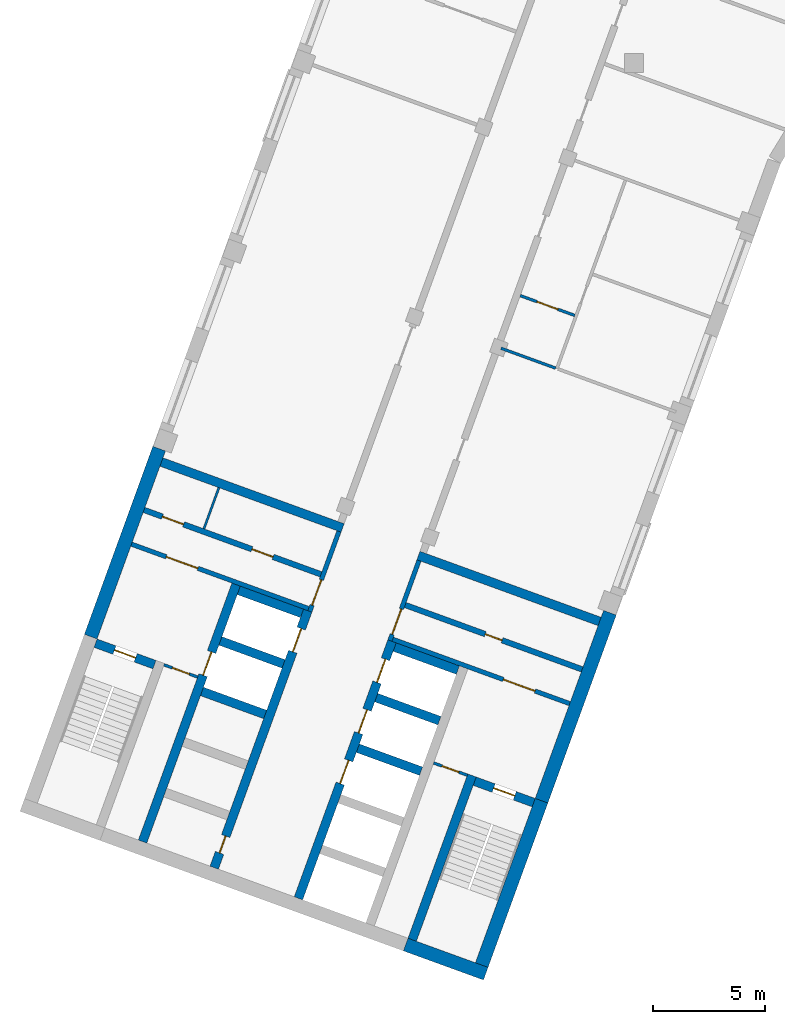
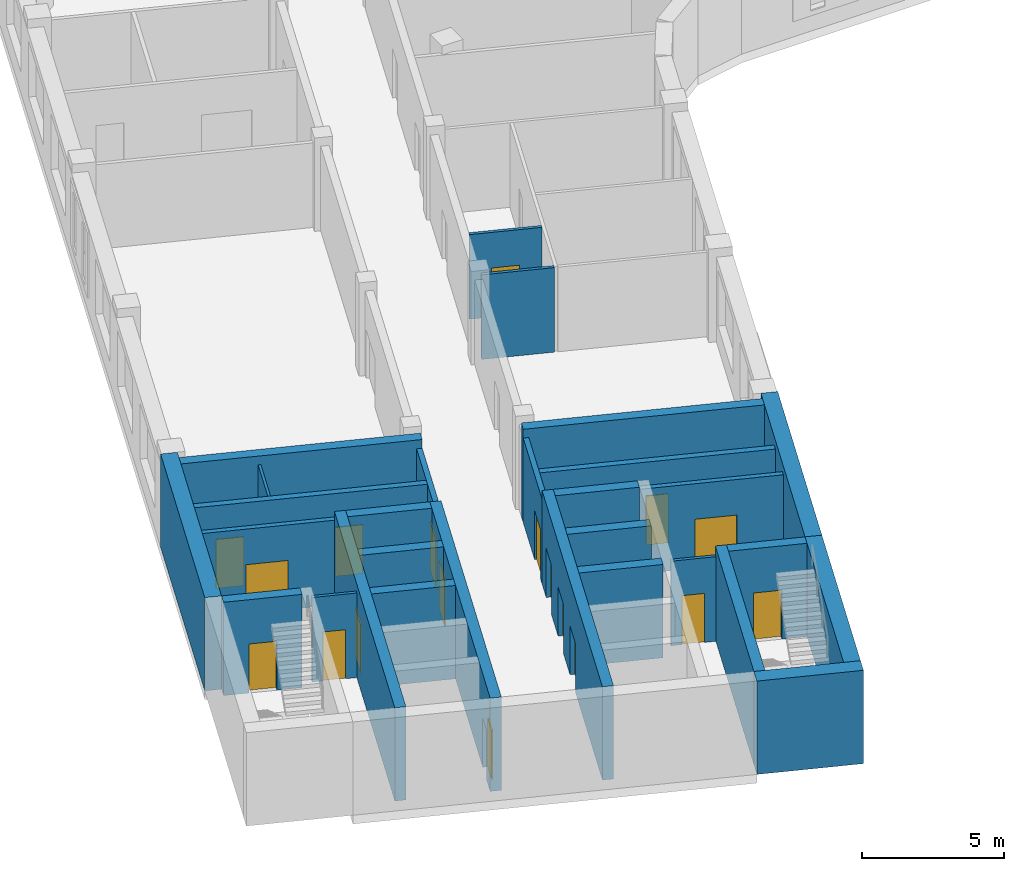
# One storey, part 2 of 10: 29 walls, 18 doors, 18 openings.
"""IFC4 building model written with IfcOpenShell, lengths in metres."""

from ifc_helpers import new_model, si_unit, direction, frame, frame_2d, origin, place, context, subcontext, project, spatial, rectangle, extrude, material, layer, layer_set, type_object, element, fill, save


model = new_model("IFC4")

# Units and contexts
model_context = context("Model", 3, precision=1e-05, world=origin(), true_north=direction((0.0, 1.0)))
body_context = subcontext(model_context, "Body", "Model", "MODEL_VIEW")
ifc_project = project(units=[si_unit("LENGTHUNIT", "METRE"), si_unit("AREAUNIT", "SQUARE_METRE"), si_unit("VOLUMEUNIT", "CUBIC_METRE"), si_unit("PLANEANGLEUNIT", "RADIAN"), si_unit("MASSUNIT", "GRAM", prefix="KILO")], contexts=[model_context])

# Site, building, storey
site_placement = place(None, origin())
site = spatial("IfcSite", under=ifc_project, at=site_placement, CompositionType="ELEMENT")
building_placement = place(site_placement, origin())
building = spatial("IfcBuilding", under=site, at=building_placement, Name="Skarvind Civic Tower", CompositionType="ELEMENT")
storey_placement = place(building_placement, frame((0.0, 0.0, 101.0)))
storey = spatial("IfcBuildingStorey", under=building, at=storey_placement, Name="L23", CompositionType="ELEMENT", Elevation=101.0)

# Wall, opening, door
ifc_material_1 = material(Name="Fire-rated masonry partition", Category="masonry")
ifc_layer_1 = layer(ifc_material_1, 0.199951171875)
ifc_layer_set_1 = layer_set([ifc_layer_1], Name="Core enclosure wall 200")
wall_type_1 = type_object("IfcWallType", Name="Core enclosure wall 200", PredefinedType="PARTITIONING", material=ifc_layer_set_1)
wall_1_placement = place(storey_placement, frame((31.491455078125, 93.693359375, 0.0), z_axis=(0.0, 0.0, 1.0), x_axis=(0.341995824804, 0.939701471648, 0.0)))
wall_1 = element("IfcWall", 1, at=wall_1_placement, inside=storey, type_object=wall_type_1, Name="Core wall C2", PredefinedType="PARTITIONING", context=body_context, shape_type="SweptSolid", body=[
    extrude(rectangle(XDim=3.800048828125, YDim=0.199951171875, at=frame_2d((1.89990234375, 0.0))), origin(), (0.0, 0.0, 1.0), 3.625),
])
opening_1_placement = place(wall_1_placement, frame((0.300048828125, 0.0, 0.0)))
opening_1 = element("IfcOpeningElement", 2, at=opening_1_placement, cuts=wall_1, Name="Opening D-L23-C2-06", PredefinedType="OPENING", context=body_context, shape_type="SweptSolid", body=[
    extrude(rectangle(XDim=1.199951171875, YDim=2.10009765625, at=frame_2d((0.60009765625, 1.050048828125))), frame((0.0, 0.10986328125, 0.0), z_axis=(0.0, -1.0, 0.0), x_axis=(1.0, 0.0, 0.0)), (0.0, 0.0, 1.0), 0.219970703125),
])
ifc_material_2 = material(Name="Fire-rated steel door", Category="steel")
door_type_1 = type_object("IfcDoorType", Name="Core lobby door 1200", OperationType="NOTDEFINED", PredefinedType="DOOR", material=ifc_material_2)
door_1_placement = place(opening_1_placement, origin())
door_1 = element("IfcDoor", 3, at=door_1_placement, inside=storey, type_object=door_type_1, Name="Fire door", OperationType="DOUBLE_DOOR_SINGLE_SWING", OverallHeight=2.10009765625, OverallWidth=1.199951171875, PredefinedType="DOOR", context=body_context, shape_type="SweptSolid", body=[
    extrude(rectangle(XDim=1.199951171875, YDim=2.10009765625, at=frame_2d((0.60009765625, 1.050048828125))), frame((0.0, 0.02490234375, 0.0), z_axis=(0.0, -1.0, 0.0), x_axis=(1.0, 0.0, 0.0)), (0.0, 0.0, 1.0), 0.050048828125),
])
fill(opening_1, door_1)

wall_2_placement = place(storey_placement, frame((23.5380859375, 96.6943359375, 0.0), z_axis=(0.0, 0.0, 1.0), x_axis=(0.939691552312, -0.342023078919, 0.0)))
wall_2 = element("IfcWall", 4, at=wall_2_placement, inside=storey, type_object=wall_type_1, Name="Core wall C2", PredefinedType="PARTITIONING", context=body_context, shape_type="SweptSolid", body=[
    extrude(rectangle(XDim=8.400146484375, YDim=0.199951171875, at=frame_2d((4.2001953125, 0.0))), origin(), (0.0, 0.0, 1.0), 3.625),
])
opening_2_placement = place(wall_2_placement, frame((1.64990234375, 0.0, 0.0)))
opening_2 = element("IfcOpeningElement", 5, at=opening_2_placement, cuts=wall_2, Name="Opening D-L23-C2-07", PredefinedType="OPENING", context=body_context, shape_type="SweptSolid", body=[
    extrude(rectangle(XDim=1.5, YDim=2.10009765625, at=frame_2d((0.75, 1.050048828125))), frame((0.0, 0.10986328125, 0.0), z_axis=(0.0, -1.0, 0.0), x_axis=(1.0, 0.0, 0.0)), (0.0, 0.0, 1.0), 0.219970703125),
])
door_type_2 = type_object("IfcDoorType", Name="Fire door 1500", OperationType="NOTDEFINED", PredefinedType="DOOR", material=ifc_material_2)
door_2_placement = place(opening_2_placement, origin())
door_2 = element("IfcDoor", 6, at=door_2_placement, inside=storey, type_object=door_type_2, Name="Fire door", OperationType="DOUBLE_DOOR_SINGLE_SWING", OverallHeight=2.10009765625, OverallWidth=1.5, PredefinedType="DOOR", context=body_context, shape_type="SweptSolid", body=[
    extrude(rectangle(XDim=1.5, YDim=2.10009765625, at=frame_2d((0.75, 1.050048828125))), frame((0.0, 0.02490234375, 0.0), z_axis=(0.0, -1.0, 0.0), x_axis=(1.0, 0.0, 0.0)), (0.0, 0.0, 1.0), 0.050048828125),
])
fill(opening_2, door_2)

wall_3_placement = place(storey_placement, frame((36.36181640625, 95.96435546875, 0.0), z_axis=(0.0, 0.0, 1.0), x_axis=(-0.341995824804, -0.939701471648, 0.0)))
wall_3 = element("IfcWall", 7, at=wall_3_placement, inside=storey, type_object=wall_type_1, Name="Core wall C2", PredefinedType="PARTITIONING", context=body_context, shape_type="SweptSolid", body=[
    extrude(rectangle(XDim=3.800048828125, YDim=0.199951171875, at=frame_2d((1.89990234375, 0.0))), origin(), (0.0, 0.0, 1.0), 3.625),
])
opening_3_placement = place(wall_3_placement, frame((2.300048828125, 0.0, 0.0)))
opening_3 = element("IfcOpeningElement", 8, at=opening_3_placement, cuts=wall_3, Name="Opening D-L23-C2-12", PredefinedType="OPENING", context=body_context, shape_type="SweptSolid", body=[
    extrude(rectangle(XDim=1.199951171875, YDim=2.10009765625, at=frame_2d((0.60009765625, 1.050048828125))), frame((0.0, 0.10986328125, 0.0), z_axis=(0.0, -1.0, 0.0), x_axis=(1.0, 0.0, 0.0)), (0.0, 0.0, 1.0), 0.219970703125),
])
door_3_placement = place(opening_3_placement, origin())
door_3 = element("IfcDoor", 9, at=door_3_placement, inside=storey, type_object=door_type_1, Name="Fire door", OperationType="DOUBLE_DOOR_SINGLE_SWING", OverallHeight=2.10009765625, OverallWidth=1.199951171875, PredefinedType="DOOR", context=body_context, shape_type="SweptSolid", body=[
    extrude(rectangle(XDim=1.199951171875, YDim=2.10009765625, at=frame_2d((0.60009765625, 1.050048828125))), frame((0.0, 0.02490234375, 0.0), z_axis=(0.0, -1.0, 0.0), x_axis=(1.0, 0.0, 0.0)), (0.0, 0.0, 1.0), 0.050048828125),
])
fill(opening_3, door_3)

wall_4_placement = place(storey_placement, frame((35.1904296875, 92.453369140625, 0.0), z_axis=(0.0, 0.0, 1.0), x_axis=(0.939691552312, -0.342023078919, 0.0)))
wall_4 = element("IfcWall", 10, at=wall_4_placement, inside=storey, type_object=wall_type_1, Name="Core wall C2", PredefinedType="PARTITIONING", context=body_context, shape_type="SweptSolid", body=[
    extrude(rectangle(XDim=8.400146484375, YDim=0.199951171875, at=frame_2d((4.2001953125, 0.0))), origin(), (0.0, 0.0, 1.0), 3.625),
])
opening_4_placement = place(wall_4_placement, frame((5.25, 0.0, 0.0)))
opening_4 = element("IfcOpeningElement", 11, at=opening_4_placement, cuts=wall_4, Name="Opening D-L23-C2-13", PredefinedType="OPENING", context=body_context, shape_type="SweptSolid", body=[
    extrude(rectangle(XDim=1.5, YDim=2.10009765625, at=frame_2d((0.75, 1.050048828125))), frame((0.0, 0.10986328125, 0.0), z_axis=(0.0, -1.0, 0.0), x_axis=(1.0, 0.0, 0.0)), (0.0, 0.0, 1.0), 0.219970703125),
])
door_4_placement = place(opening_4_placement, origin())
door_4 = element("IfcDoor", 12, at=door_4_placement, inside=storey, type_object=door_type_2, Name="Fire door", OperationType="DOUBLE_DOOR_SINGLE_SWING", OverallHeight=2.10009765625, OverallWidth=1.5, PredefinedType="DOOR", context=body_context, shape_type="SweptSolid", body=[
    extrude(rectangle(XDim=1.5, YDim=2.10009765625, at=frame_2d((0.75, 1.050048828125))), frame((0.0, 0.02490234375, 0.0), z_axis=(0.0, -1.0, 0.0), x_axis=(1.0, 0.0, 0.0)), (0.0, 0.0, 1.0), 0.050048828125),
])
fill(opening_4, door_4)

# Walls
ifc_material_3 = material(Name="Fire-rated plasterboard partition")
ifc_layer_2 = layer(ifc_material_3, 0.10009765625)
ifc_layer_set_2 = layer_set([ifc_layer_2], Name="Core partition wall 100")
wall_type_2 = type_object("IfcWallType", Name="Core partition wall 100", PredefinedType="PARTITIONING", material=ifc_layer_set_2)
wall_5_placement = place(storey_placement, frame((26.767822265625, 97.381103515625, 0.0), z_axis=(0.0, 0.0, 1.0), x_axis=(0.342024501273, 0.939691034611, 0.0)))
element("IfcWall", 13, at=wall_5_placement, inside=storey, type_object=wall_type_2, Name="Core wall C2", PredefinedType="PARTITIONING", context=body_context, shape_type="SweptSolid", body=[
    extrude(rectangle(XDim=1.9501953125, YDim=0.10009765625, at=frame_2d((0.97509765625, 0.0))), origin(), (0.0, 0.0, 1.0), 3.625),
])
ifc_material_4 = material(Name="Concrete C80", Category="concrete")
ifc_layer_3 = layer(ifc_material_4, 0.39990234375)
ifc_layer_set_3 = layer_set([ifc_layer_3], Name="Core wall 400 C80")
wall_type_3 = type_object("IfcWallType", Name="Core wall 400 C80", PredefinedType="SHEAR", material=ifc_layer_set_3)
wall_6_placement = place(storey_placement, frame((36.057861328125, 79.04833984375, 0.0), z_axis=(0.0, 0.0, 1.0), x_axis=(0.342016982193, 0.939693771338, 0.0)))
element("IfcWall", 14, at=wall_6_placement, inside=storey, type_object=wall_type_3, Name="Core wall C2 south stair inner L23", PredefinedType="SHEAR", context=body_context, shape_type="SweptSolid", body=[
    extrude(rectangle(XDim=7.800048828125, YDim=0.39990234375, at=frame_2d((3.89990234375, 0.0))), origin(), (0.0, 0.0, 1.0), 4.0),
])

# Wall, opening, door
wall_7_placement = place(storey_placement, frame((41.476318359375, 85.163818359375, 0.0), z_axis=(0.0, 0.0, 1.0), x_axis=(-0.939678810556, 0.342058084236, 0.0)))
wall_7 = element("IfcWall", 15, at=wall_7_placement, inside=storey, type_object=wall_type_3, Name="Core wall C2 south stair end L23", PredefinedType="SHEAR", context=body_context, shape_type="SweptSolid", body=[
    extrude(rectangle(XDim=2.800048828125, YDim=0.39990234375, at=frame_2d((1.39990234375, 0.0))), origin(), (0.0, 0.0, 1.0), 4.0),
])
opening_5_placement = place(wall_7_placement, frame((0.89990234375, 0.0, 0.0)))
opening_5 = element("IfcOpeningElement", 16, at=opening_5_placement, cuts=wall_7, Name="Opening D-L23-C2-14", PredefinedType="OPENING", context=body_context, shape_type="SweptSolid", body=[
    extrude(rectangle(XDim=1.0, YDim=2.10009765625, at=frame_2d((0.5, 1.050048828125))), frame((0.0, 0.2099609375, 0.0), z_axis=(0.0, -1.0, 0.0), x_axis=(1.0, 0.0, 0.0)), (0.0, 0.0, 1.0), 0.419921875),
])
door_type_3 = type_object("IfcDoorType", Name="Fire door 1000", OperationType="NOTDEFINED", PredefinedType="DOOR", material=ifc_material_2)
door_5_placement = place(opening_5_placement, origin())
door_5 = element("IfcDoor", 17, at=door_5_placement, inside=storey, type_object=door_type_3, Name="Fire door", OperationType="SINGLE_SWING_RIGHT", OverallHeight=2.10009765625, OverallWidth=1.0, PredefinedType="DOOR", context=body_context, shape_type="SweptSolid", body=[
    extrude(rectangle(XDim=1.0, YDim=2.10009765625, at=frame_2d((0.5, 1.050048828125))), frame((0.0, 0.02490234375, 0.0), z_axis=(0.0, -1.0, 0.0), x_axis=(1.0, 0.0, 0.0)), (0.0, 0.0, 1.0), 0.050048828125),
])
fill(opening_5, door_5)

wall_8_placement = place(storey_placement, frame((24.56201171875, 91.3203125, 0.0), z_axis=(0.0, 0.0, 1.0), x_axis=(-0.939717030584, 0.341953070509, 0.0)))
wall_8 = element("IfcWall", 18, at=wall_8_placement, inside=storey, type_object=wall_type_3, Name="Core wall C2 north stair end L23", PredefinedType="SHEAR", context=body_context, shape_type="SweptSolid", body=[
    extrude(rectangle(XDim=2.800048828125, YDim=0.39990234375, at=frame_2d((1.39990234375, 0.0))), origin(), (0.0, 0.0, 1.0), 4.0),
])
opening_6_placement = place(wall_8_placement, frame((0.89990234375, 0.0, 0.0)))
opening_6 = element("IfcOpeningElement", 19, at=opening_6_placement, cuts=wall_8, Name="Opening D-L23-C2-08", PredefinedType="OPENING", context=body_context, shape_type="SweptSolid", body=[
    extrude(rectangle(XDim=1.0, YDim=2.10009765625, at=frame_2d((0.5, 1.050048828125))), frame((0.0, 0.2099609375, 0.0), z_axis=(0.0, -1.0, 0.0), x_axis=(1.0, 0.0, 0.0)), (0.0, 0.0, 1.0), 0.419921875),
])
door_6_placement = place(opening_6_placement, origin())
door_6 = element("IfcDoor", 20, at=door_6_placement, inside=storey, type_object=door_type_3, Name="Fire door", OperationType="SINGLE_SWING_LEFT", OverallHeight=2.10009765625, OverallWidth=1.0, PredefinedType="DOOR", context=body_context, shape_type="SweptSolid", body=[
    extrude(rectangle(XDim=1.0, YDim=2.10009765625, at=frame_2d((0.5, 1.050048828125))), frame((0.0, 0.02490234375, 0.0), z_axis=(0.0, -1.0, 0.0), x_axis=(1.0, 0.0, 0.0)), (0.0, 0.0, 1.0), 0.050048828125),
])
fill(opening_6, door_6)

# Wall, openings, doors
wall_9_placement = place(storey_placement, frame((30.983642578125, 80.895263671875, 0.0), z_axis=(0.0, 0.0, 1.0), x_axis=(0.342021021735, 0.939692301071, 0.0)))
wall_9 = element("IfcWall", 21, at=wall_9_placement, inside=storey, type_object=wall_type_3, Name="Core wall C2 south lift row front L23", PredefinedType="SHEAR", context=body_context, shape_type="SweptSolid", body=[
    extrude(rectangle(XDim=12.199951171875, YDim=0.39990234375, at=frame_2d((6.10009765625, 0.0))), origin(), (0.0, 0.0, 1.0), 4.0),
])
opening_7_placement = place(wall_9_placement, frame((5.449951171875, 0.0, 0.0)))
opening_7 = element("IfcOpeningElement", 22, at=opening_7_placement, cuts=wall_9, Name="Opening LD25208", PredefinedType="OPENING", context=body_context, shape_type="SweptSolid", body=[
    extrude(rectangle(XDim=1.10009765625, YDim=2.10009765625, at=frame_2d((0.550048828125, 1.050048828125))), frame((0.0, 0.2099609375, 0.0), z_axis=(0.0, -1.0, 0.0), x_axis=(1.0, 0.0, 0.0)), (0.0, 0.0, 1.0), 0.419921875),
])
opening_8_placement = place(wall_9_placement, frame((7.85009765625, 0.0, 0.0)))
opening_8 = element("IfcOpeningElement", 23, at=opening_8_placement, cuts=wall_9, Name="Opening LD25209", PredefinedType="OPENING", context=body_context, shape_type="SweptSolid", body=[
    extrude(rectangle(XDim=1.10009765625, YDim=2.10009765625, at=frame_2d((0.550048828125, 1.050048828125))), frame((0.0, 0.2099609375, 0.0), z_axis=(0.0, -1.0, 0.0), x_axis=(1.0, 0.0, 0.0)), (0.0, 0.0, 1.0), 0.419921875),
])
opening_9_placement = place(wall_9_placement, frame((10.25, 0.0, 0.0)))
opening_9 = element("IfcOpeningElement", 24, at=opening_9_placement, cuts=wall_9, Name="Opening LD25210", PredefinedType="OPENING", context=body_context, shape_type="SweptSolid", body=[
    extrude(rectangle(XDim=1.10009765625, YDim=2.10009765625, at=frame_2d((0.550048828125, 1.050048828125))), frame((0.0, 0.2099609375, 0.0), z_axis=(0.0, -1.0, 0.0), x_axis=(1.0, 0.0, 0.0)), (0.0, 0.0, 1.0), 0.419921875),
])
ifc_material_5 = material(Name="Stainless steel landing door", Category="steel")
door_type_4 = type_object("IfcDoorType", Name="Lift landing door 1100", OperationType="DOUBLE_DOOR_SLIDING", PredefinedType="DOOR", material=ifc_material_5)
door_7_placement = place(opening_7_placement, origin())
door_7 = element("IfcDoor", 25, at=door_7_placement, inside=storey, type_object=door_type_4, Name="Lift landing door", OperationType="DOUBLE_DOOR_SLIDING", OverallHeight=2.10009765625, OverallWidth=1.10009765625, PredefinedType="DOOR", context=body_context, shape_type="SweptSolid", body=[
    extrude(rectangle(XDim=1.10009765625, YDim=2.10009765625, at=frame_2d((0.550048828125, 1.050048828125))), frame((0.0, 0.02490234375, 0.0), z_axis=(0.0, -1.0, 0.0), x_axis=(1.0, 0.0, 0.0)), (0.0, 0.0, 1.0), 0.050048828125),
])
fill(opening_7, door_7)
door_8_placement = place(opening_8_placement, origin())
door_8 = element("IfcDoor", 26, at=door_8_placement, inside=storey, type_object=door_type_4, Name="Lift landing door", OperationType="DOUBLE_DOOR_SLIDING", OverallHeight=2.10009765625, OverallWidth=1.10009765625, PredefinedType="DOOR", context=body_context, shape_type="SweptSolid", body=[
    extrude(rectangle(XDim=1.10009765625, YDim=2.10009765625, at=frame_2d((0.550048828125, 1.050048828125))), frame((0.0, 0.02490234375, 0.0), z_axis=(0.0, -1.0, 0.0), x_axis=(1.0, 0.0, 0.0)), (0.0, 0.0, 1.0), 0.050048828125),
])
fill(opening_8, door_8)
door_9_placement = place(opening_9_placement, origin())
door_9 = element("IfcDoor", 27, at=door_9_placement, inside=storey, type_object=door_type_4, Name="Lift landing door", OperationType="DOUBLE_DOOR_SLIDING", OverallHeight=2.10009765625, OverallWidth=1.10009765625, PredefinedType="DOOR", context=body_context, shape_type="SweptSolid", body=[
    extrude(rectangle(XDim=1.10009765625, YDim=2.10009765625, at=frame_2d((0.550048828125, 1.050048828125))), frame((0.0, 0.02490234375, 0.0), z_axis=(0.0, -1.0, 0.0), x_axis=(1.0, 0.0, 0.0)), (0.0, 0.0, 1.0), 0.050048828125),
])
fill(opening_9, door_9)

# Walls
for number, where, z_axis, x_axis, name in (
    (28, (36.453125, 86.56640625, 0.0), (0.0, 0.0, 1.0), (-0.939686455819, 0.342037080957, 0.0), "Core wall C2 south lift row division 3 L23"),
    (29, (37.27392578125, 88.82177734375, 0.0), (0.0, 0.0, 1.0), (-0.939686455819, 0.342037080957, 0.0), "Core wall C2 south lift row division 4 L23"),
):
    element("IfcWall", number, at=place(storey_placement, frame(where, z_axis=z_axis, x_axis=x_axis)), inside=storey, type_object=wall_type_3, Name=name, PredefinedType="SHEAR", context=body_context, shape_type="SweptSolid", body=[
        extrude(rectangle(XDim=3.0, YDim=0.39990234375, at=frame_2d((1.5, 0.0))), origin(), (0.0, 0.0, 1.0), 4.0),
    ])
wall_10_placement = place(storey_placement, frame((38.0947265625, 91.076904296875, 0.0), z_axis=(0.0, 0.0, 1.0), x_axis=(-0.939676934218, 0.342063238742, 0.0)))
element("IfcWall", 30, at=wall_10_placement, inside=storey, type_object=wall_type_3, Name="Core wall C2 south lift row division 5 L23", PredefinedType="SHEAR", context=body_context, shape_type="SweptSolid", body=[
    extrude(rectangle(XDim=2.999755859375, YDim=0.39990234375, at=frame_2d((1.5, 0.0))), origin(), (0.0, 0.0, 1.0), 4.0),
])

# Wall, openings, doors
wall_11_placement = place(storey_placement, frame((27.224853515625, 82.26318359375, 0.0), z_axis=(0.0, 0.0, 1.0), x_axis=(0.342014590177, 0.939694641948, 0.0)))
wall_11 = element("IfcWall", 31, at=wall_11_placement, inside=storey, type_object=wall_type_3, Name="Core wall C2 north lift row front L23", PredefinedType="SHEAR", context=body_context, shape_type="SweptSolid", body=[
    extrude(rectangle(XDim=12.2001953125, YDim=0.39990234375, at=frame_2d((6.10009765625, 0.0))), origin(), (0.0, 0.0, 1.0), 4.0),
])
opening_10_placement = place(wall_11_placement, frame((10.25, 0.0, 0.0)))
opening_10 = element("IfcOpeningElement", 32, at=opening_10_placement, cuts=wall_11, Name="Opening LD25205", PredefinedType="OPENING", context=body_context, shape_type="SweptSolid", body=[
    extrude(rectangle(XDim=1.10009765625, YDim=2.10009765625, at=frame_2d((0.550048828125, 1.050048828125))), frame((0.0, 0.2099609375, 0.0), z_axis=(0.0, -1.0, 0.0), x_axis=(1.0, 0.0, 0.0)), (0.0, 0.0, 1.0), 0.419921875),
])
opening_11_placement = place(wall_11_placement, frame((0.699951171875, 0.0, 0.0)))
opening_11 = element("IfcOpeningElement", 33, at=opening_11_placement, cuts=wall_11, Name="Opening D-L23-C2-05", PredefinedType="OPENING", context=body_context, shape_type="SweptSolid", body=[
    extrude(rectangle(XDim=0.800048828125, YDim=2.10009765625, at=frame_2d((0.39990234375, 1.050048828125))), frame((0.0, 0.2099609375, 0.0), z_axis=(0.0, -1.0, 0.0), x_axis=(1.0, 0.0, 0.0)), (0.0, 0.0, 1.0), 0.419921875),
])
door_type_5 = type_object("IfcDoorType", Name="Core riser door 800", OperationType="NOTDEFINED", PredefinedType="DOOR", material=ifc_material_2)
door_10_placement = place(opening_11_placement, origin())
door_10 = element("IfcDoor", 34, at=door_10_placement, inside=storey, type_object=door_type_5, Name="Riser door", OperationType="SINGLE_SWING_LEFT", OverallHeight=2.10009765625, OverallWidth=0.800048828125, PredefinedType="DOOR", context=body_context, shape_type="SweptSolid", body=[
    extrude(rectangle(XDim=0.800048828125, YDim=2.10009765625, at=frame_2d((0.39990234375, 1.050048828125))), frame((0.0, 0.02490234375, 0.0), z_axis=(0.0, -1.0, 0.0), x_axis=(1.0, 0.0, 0.0)), (0.0, 0.0, 1.0), 0.050048828125),
])
fill(opening_11, door_10)
door_11_placement = place(opening_10_placement, origin())
door_11 = element("IfcDoor", 35, at=door_11_placement, inside=storey, type_object=door_type_4, Name="Lift landing door", OperationType="DOUBLE_DOOR_SLIDING", OverallHeight=2.10009765625, OverallWidth=1.10009765625, PredefinedType="DOOR", context=body_context, shape_type="SweptSolid", body=[
    extrude(rectangle(XDim=1.10009765625, YDim=2.10009765625, at=frame_2d((0.550048828125, 1.050048828125))), frame((0.0, 0.02490234375, 0.0), z_axis=(0.0, -1.0, 0.0), x_axis=(1.0, 0.0, 0.0)), (0.0, 0.0, 1.0), 0.050048828125),
])
fill(opening_10, door_11)

# Wall, opening, door
wall_12_placement = place(storey_placement, frame((24.02978515625, 83.426025390625, 0.0), z_axis=(0.0, 0.0, 1.0), x_axis=(0.342014590177, 0.939694641948, 0.0)))
wall_12 = element("IfcWall", 36, at=wall_12_placement, inside=storey, type_object=wall_type_3, Name="Core wall C2 north lift row back L23", PredefinedType="SHEAR", context=body_context, shape_type="SweptSolid", body=[
    extrude(rectangle(XDim=12.2001953125, YDim=0.39990234375, at=frame_2d((6.10009765625, 0.0))), origin(), (0.0, 0.0, 1.0), 4.0),
])
opening_12_placement = place(wall_12_placement, frame((7.89990234375, 0.0, 0.0)))
opening_12 = element("IfcOpeningElement", 37, at=opening_12_placement, cuts=wall_12, Name="Opening LD25204", PredefinedType="OPENING", context=body_context, shape_type="SweptSolid", body=[
    extrude(rectangle(XDim=1.10009765625, YDim=2.10009765625, at=frame_2d((0.550048828125, 1.050048828125))), frame((0.0, 0.2099609375, 0.0), z_axis=(0.0, -1.0, 0.0), x_axis=(1.0, 0.0, 0.0)), (0.0, 0.0, 1.0), 0.419921875),
])
door_12_placement = place(opening_12_placement, origin())
door_12 = element("IfcDoor", 38, at=door_12_placement, inside=storey, type_object=door_type_4, Name="Lift landing door", OperationType="DOUBLE_DOOR_SLIDING", OverallHeight=2.10009765625, OverallWidth=1.10009765625, PredefinedType="DOOR", context=body_context, shape_type="SweptSolid", body=[
    extrude(rectangle(XDim=1.10009765625, YDim=2.10009765625, at=frame_2d((0.550048828125, 1.050048828125))), frame((0.0, 0.02490234375, 0.0), z_axis=(0.0, -1.0, 0.0), x_axis=(1.0, 0.0, 0.0)), (0.0, 0.0, 1.0), 0.050048828125),
])
fill(opening_12, door_12)

# Walls
for number, where, z_axis, x_axis, name in (
    (39, (29.49951171875, 89.097412109375, 0.0), (0.0, 0.0, 1.0), (-0.939686455819, 0.342037080957, 0.0), "Core wall C2 north lift row division 3 L23"),
    (40, (30.3203125, 91.352783203125, 0.0), (0.0, 0.0, 1.0), (-0.939712609717, 0.341965219194, 0.0), "Core wall C2 north lift row division 4 L23"),
    (41, (31.14111328125, 93.60791015625, 0.0), (0.0, 0.0, 1.0), (-0.939686455819, 0.342037080957, 0.0), "Core wall C2 north lift row division 5 L23"),
):
    element("IfcWall", number, at=place(storey_placement, frame(where, z_axis=z_axis, x_axis=x_axis)), inside=storey, type_object=wall_type_3, Name=name, PredefinedType="SHEAR", context=body_context, shape_type="SweptSolid", body=[
        extrude(rectangle(XDim=3.0, YDim=0.39990234375, at=frame_2d((1.5, 0.0))), origin(), (0.0, 0.0, 1.0), 4.0),
    ])
for number, where, z_axis, x_axis, name in (
    (42, (44.417724609375, 93.2451171875, 0.0), (0.0, 0.0, 1.0), (-0.93969060187, 0.342025690201, 0.0), "Core wall C2 south inner face L23"),
    (43, (32.953369140625, 97.417724609375, 0.0), (0.0, 0.0, 1.0), (-0.93969060187, 0.342025690201, 0.0), "Core wall C2 north inner face L23"),
):
    element("IfcWall", number, at=place(storey_placement, frame(where, z_axis=z_axis, x_axis=x_axis)), inside=storey, type_object=wall_type_3, Name=name, PredefinedType="SHEAR", context=body_context, shape_type="SweptSolid", body=[
        extrude(rectangle(XDim=8.599853515625, YDim=0.39990234375, at=frame_2d((4.2998046875, 0.0))), origin(), (0.0, 0.0, 1.0), 4.0),
    ])
ifc_layer_4 = layer(ifc_material_4, 0.60009765625)
ifc_layer_set_4 = layer_set([ifc_layer_4], Name="Core wall 600 C80")
wall_type_4 = type_object("IfcWallType", Name="Core wall 600 C80", PredefinedType="SHEAR", material=ifc_layer_set_4)
wall_13_placement = place(storey_placement, frame((39.338134765625, 77.53515625, 0.0), z_axis=(0.0, 0.0, 1.0), x_axis=(-0.939701471648, 0.341995824804, 0.0)))
element("IfcWall", 44, at=wall_13_placement, inside=storey, type_object=wall_type_4, Name="Core wall C2 tip at the south stair L23", PredefinedType="SHEAR", context=body_context, shape_type="SweptSolid", body=[
    extrude(rectangle(XDim=3.800048828125, YDim=0.60009765625, at=frame_2d((1.89990234375, 0.0))), origin(), (0.0, 0.0, 1.0), 4.0),
])
wall_14_placement = place(storey_placement, frame((39.158935546875, 77.919677734375, 0.0), z_axis=(0.0, 0.0, 1.0), x_axis=(0.342016982193, 0.939693771338, 0.0)))
element("IfcWall", 45, at=wall_14_placement, inside=storey, type_object=wall_type_4, Name="Core wall C2 south side at the stair L23", PredefinedType="SHEAR", context=body_context, shape_type="SweptSolid", body=[
    extrude(rectangle(XDim=7.800048828125, YDim=0.60009765625, at=frame_2d((3.89990234375, 0.0))), origin(), (0.0, 0.0, 1.0), 4.0),
])
for number, where, z_axis, x_axis, name in (
    (46, (41.82666015625, 85.249267578125, 0.0), (0.0, 0.0, 1.0), (0.342017595281, 0.939693548195, 0.0), "Core wall C2 south side L23"),
    (47, (21.71728515625, 92.568359375, 0.0), (0.0, 0.0, 1.0), (0.342017595281, 0.939693548195, 0.0), "Core wall C2 north side L23"),
):
    element("IfcWall", number, at=place(storey_placement, frame(where, z_axis=z_axis, x_axis=x_axis)), inside=storey, type_object=wall_type_4, Name=name, PredefinedType="SHEAR", context=body_context, shape_type="SweptSolid", body=[
        extrude(rectangle(XDim=8.925048828125, YDim=0.60009765625, at=frame_2d((4.46240234375, 0.0))), origin(), (0.0, 0.0, 1.0), 4.0),
    ])

# Wall, opening, door
ifc_layer_5 = layer(ifc_material_1, 0.125)
ifc_layer_set_5 = layer_set([ifc_layer_5], Name="Riser wall 125")
wall_type_5 = type_object("IfcWallType", Name="Riser wall 125", PredefinedType="PARTITIONING", material=ifc_layer_set_5)
wall_15_placement = place(storey_placement, frame((24.98486328125, 91.3125, 0.0), z_axis=(0.0, 0.0, 1.0), x_axis=(0.939708740826, -0.341975850632, 0.0)))
wall_15 = element("IfcWall", 48, at=wall_15_placement, inside=storey, type_object=wall_type_5, Name="Core wall C2", PredefinedType="PARTITIONING", context=body_context, shape_type="SweptSolid", body=[
    extrude(rectangle(XDim=1.599853515625, YDim=0.125, at=frame_2d((0.7998046875, 0.0))), origin(), (0.0, 0.0, 1.0), 3.625),
])
opening_13_placement = place(wall_15_placement, frame((0.39990234375, 0.0, 0.0)))
opening_13 = element("IfcOpeningElement", 49, at=opening_13_placement, cuts=wall_15, Name="Opening D-L23-C2-09", PredefinedType="OPENING", context=body_context, shape_type="SweptSolid", body=[
    extrude(rectangle(XDim=0.800048828125, YDim=2.10009765625, at=frame_2d((0.39990234375, 1.050048828125))), frame((0.0, 0.072509765625, 0.0), z_axis=(0.0, -1.0, 0.0), x_axis=(1.0, 0.0, 0.0)), (0.0, 0.0, 1.0), 0.14501953125),
])
door_13_placement = place(opening_13_placement, origin())
door_13 = element("IfcDoor", 50, at=door_13_placement, inside=storey, type_object=door_type_5, Name="Riser door", OperationType="SINGLE_SWING_RIGHT", OverallHeight=2.10009765625, OverallWidth=0.800048828125, PredefinedType="DOOR", context=body_context, shape_type="SweptSolid", body=[
    extrude(rectangle(XDim=0.800048828125, YDim=2.10009765625, at=frame_2d((0.39990234375, 1.050048828125))), frame((0.0, 0.02490234375, 0.0), z_axis=(0.0, -1.0, 0.0), x_axis=(1.0, 0.0, 0.0)), (0.0, 0.0, 1.0), 0.050048828125),
])
fill(opening_13, door_13)

wall_16_placement = place(storey_placement, frame((37.012939453125, 86.934814453125, 0.0), z_axis=(0.0, 0.0, 1.0), x_axis=(0.939659694648, -0.342110593602, 0.0)))
wall_16 = element("IfcWall", 51, at=wall_16_placement, inside=storey, type_object=wall_type_5, Name="Core wall C2", PredefinedType="PARTITIONING", context=body_context, shape_type="SweptSolid", body=[
    extrude(rectangle(XDim=1.599853515625, YDim=0.125, at=frame_2d((0.7998046875, 0.0))), origin(), (0.0, 0.0, 1.0), 3.625),
])
opening_14_placement = place(wall_16_placement, frame((0.39990234375, 0.0, 0.0)))
opening_14 = element("IfcOpeningElement", 52, at=opening_14_placement, cuts=wall_16, Name="Opening D-L23-C2-15", PredefinedType="OPENING", context=body_context, shape_type="SweptSolid", body=[
    extrude(rectangle(XDim=0.800048828125, YDim=2.10009765625, at=frame_2d((0.39990234375, 1.050048828125))), frame((0.0, 0.072509765625, 0.0), z_axis=(0.0, -1.0, 0.0), x_axis=(1.0, 0.0, 0.0)), (0.0, 0.0, 1.0), 0.14501953125),
])
door_14_placement = place(opening_14_placement, origin())
door_14 = element("IfcDoor", 53, at=door_14_placement, inside=storey, type_object=door_type_5, Name="Riser door", OperationType="SINGLE_SWING_LEFT", OverallHeight=2.10009765625, OverallWidth=0.800048828125, PredefinedType="DOOR", context=body_context, shape_type="SweptSolid", body=[
    extrude(rectangle(XDim=0.800048828125, YDim=2.10009765625, at=frame_2d((0.39990234375, 1.050048828125))), frame((0.0, 0.02490234375, 0.0), z_axis=(0.0, -1.0, 0.0), x_axis=(1.0, 0.0, 0.0)), (0.0, 0.0, 1.0), 0.050048828125),
])
fill(opening_14, door_14)

# Wall, openings, doors
ifc_layer_6 = layer(ifc_material_1, 0.25)
ifc_layer_set_6 = layer_set([ifc_layer_6], Name="Service block wall 250")
wall_type_6 = type_object("IfcWallType", Name="Service block wall 250", PredefinedType="PARTITIONING", material=ifc_layer_set_6)
wall_17_placement = place(storey_placement, frame((24.093994140625, 98.221435546875, 0.0), z_axis=(0.0, 0.0, 1.0), x_axis=(0.939691552312, -0.342023078919, 0.0)))
wall_17 = element("IfcWall", 54, at=wall_17_placement, inside=storey, type_object=wall_type_6, Name="Core wall C2", PredefinedType="PARTITIONING", context=body_context, shape_type="SweptSolid", body=[
    extrude(rectangle(XDim=8.400146484375, YDim=0.25, at=frame_2d((4.2001953125, 0.0))), origin(), (0.0, 0.0, 1.0), 3.625),
])
opening_15_placement = place(wall_17_placement, frame((5.125, 0.0, 0.0)))
opening_15 = element("IfcOpeningElement", 55, at=opening_15_placement, cuts=wall_17, Name="Opening D-L23-C2-10", PredefinedType="OPENING", context=body_context, shape_type="SweptSolid", body=[
    extrude(rectangle(XDim=1.0, YDim=2.10009765625, at=frame_2d((0.5, 1.050048828125))), frame((0.0, 0.135009765625, 0.0), z_axis=(0.0, -1.0, 0.0), x_axis=(1.0, 0.0, 0.0)), (0.0, 0.0, 1.0), 0.27001953125),
])
opening_16_placement = place(wall_17_placement, frame((0.875, 0.0, 0.0)))
opening_16 = element("IfcOpeningElement", 56, at=opening_16_placement, cuts=wall_17, Name="Opening D-L23-C2-11", PredefinedType="OPENING", context=body_context, shape_type="SweptSolid", body=[
    extrude(rectangle(XDim=1.0, YDim=2.10009765625, at=frame_2d((0.5, 1.050048828125))), frame((0.0, 0.135009765625, 0.0), z_axis=(0.0, -1.0, 0.0), x_axis=(1.0, 0.0, 0.0)), (0.0, 0.0, 1.0), 0.27001953125),
])
door_15_placement = place(opening_15_placement, origin())
door_15 = element("IfcDoor", 57, at=door_15_placement, inside=storey, type_object=door_type_3, Name="Fire door", OperationType="SINGLE_SWING_LEFT", OverallHeight=2.10009765625, OverallWidth=1.0, PredefinedType="DOOR", context=body_context, shape_type="SweptSolid", body=[
    extrude(rectangle(XDim=1.0, YDim=2.10009765625, at=frame_2d((0.5, 1.050048828125))), frame((0.0, 0.02490234375, 0.0), z_axis=(0.0, -1.0, 0.0), x_axis=(1.0, 0.0, 0.0)), (0.0, 0.0, 1.0), 0.050048828125),
])
fill(opening_15, door_15)
door_16_placement = place(opening_16_placement, origin())
door_16 = element("IfcDoor", 58, at=door_16_placement, inside=storey, type_object=door_type_3, Name="Fire door", OperationType="SINGLE_SWING_RIGHT", OverallHeight=2.10009765625, OverallWidth=1.0, PredefinedType="DOOR", context=body_context, shape_type="SweptSolid", body=[
    extrude(rectangle(XDim=1.0, YDim=2.10009765625, at=frame_2d((0.5, 1.050048828125))), frame((0.0, 0.02490234375, 0.0), z_axis=(0.0, -1.0, 0.0), x_axis=(1.0, 0.0, 0.0)), (0.0, 0.0, 1.0), 0.050048828125),
])
fill(opening_16, door_16)

# Wall, opening, door
wall_18_placement = place(storey_placement, frame((35.74609375, 93.98046875, 0.0), z_axis=(0.0, 0.0, 1.0), x_axis=(0.939691552312, -0.342023078919, 0.0)))
wall_18 = element("IfcWall", 59, at=wall_18_placement, inside=storey, type_object=wall_type_6, Name="Core wall C2", PredefinedType="PARTITIONING", context=body_context, shape_type="SweptSolid", body=[
    extrude(rectangle(XDim=8.400146484375, YDim=0.25, at=frame_2d((4.2001953125, 0.0))), origin(), (0.0, 0.0, 1.0), 3.625),
])
opening_17_placement = place(wall_18_placement, frame((3.800048828125, 0.0, 0.0)))
opening_17 = element("IfcOpeningElement", 60, at=opening_17_placement, cuts=wall_18, Name="Opening D-L23-C2-16", PredefinedType="OPENING", context=body_context, shape_type="SweptSolid", body=[
    extrude(rectangle(XDim=0.800048828125, YDim=2.10009765625, at=frame_2d((0.39990234375, 1.050048828125))), frame((0.0, 0.135009765625, 0.0), z_axis=(0.0, -1.0, 0.0), x_axis=(1.0, 0.0, 0.0)), (0.0, 0.0, 1.0), 0.27001953125),
])
door_17_placement = place(opening_17_placement, origin())
door_17 = element("IfcDoor", 61, at=door_17_placement, inside=storey, type_object=door_type_5, Name="Riser door", OperationType="SINGLE_SWING_RIGHT", OverallHeight=2.10009765625, OverallWidth=0.800048828125, PredefinedType="DOOR", context=body_context, shape_type="SweptSolid", body=[
    extrude(rectangle(XDim=0.800048828125, YDim=2.10009765625, at=frame_2d((0.39990234375, 1.050048828125))), frame((0.0, 0.02490234375, 0.0), z_axis=(0.0, -1.0, 0.0), x_axis=(1.0, 0.0, 0.0)), (0.0, 0.0, 1.0), 0.050048828125),
])
fill(opening_17, door_17)

# Wall
ifc_material_6 = material(Name="Moisture-resistant gypsum board on steel studs", Category="steel")
ifc_layer_7 = layer(ifc_material_6, 0.125)
ifc_layer_set_7 = layer_set([ifc_layer_7], Name="WC PARTITION 125")
wall_type_7 = type_object("IfcWallType", Name="WC PARTITION 125", PredefinedType="PARTITIONING", material=ifc_layer_set_7)
wall_19_placement = place(storey_placement, frame((40.02099609375, 105.43408203125, 0.0), z_axis=(0.0, 0.0, 1.0), x_axis=(0.939564838351, -0.342371018829, 0.0)))
element("IfcWall", 62, at=wall_19_placement, inside=storey, type_object=wall_type_7, Name="Partition 23.006", PredefinedType="PARTITIONING", context=body_context, shape_type="SweptSolid", body=[
    extrude(rectangle(XDim=2.590576171875, YDim=0.125, at=frame_2d((1.29541015625, 0.0))), origin(), (0.0, 0.0, 1.0), 3.625),
])

# Wall, opening, door
wall_20_placement = place(storey_placement, frame((43.30810546875, 106.89794921875, 0.0), z_axis=(0.0, 0.0, 1.0), x_axis=(-0.93971903862, 0.341947552198, 0.0)))
wall_20 = element("IfcWall", 63, at=wall_20_placement, inside=storey, type_object=wall_type_7, Name="Partition 23.007", PredefinedType="PARTITIONING", context=body_context, shape_type="SweptSolid", body=[
    extrude(rectangle(XDim=2.588134765625, YDim=0.125, at=frame_2d((1.2939453125, 0.0))), origin(), (0.0, 0.0, 1.0), 3.625),
])
opening_18_placement = place(wall_20_placement, frame((0.794189453125, 0.0, 0.0)))
opening_18 = element("IfcOpeningElement", 64, at=opening_18_placement, cuts=wall_20, Name="Opening L23-D021", PredefinedType="OPENING", context=body_context, shape_type="SweptSolid", body=[
    extrude(rectangle(XDim=1.0, YDim=2.10009765625, at=frame_2d((0.5, 1.050048828125))), frame((0.0, 0.072509765625, 0.0), z_axis=(0.0, -1.0, 0.0), x_axis=(1.0, 0.0, 0.0)), (0.0, 0.0, 1.0), 0.14501953125),
])
ifc_material_7 = material(Name="Timber door leaf", Category="wood")
door_type_6 = type_object("IfcDoorType", Name="D1 1000x2100", OperationType="NOTDEFINED", PredefinedType="DOOR", material=ifc_material_7)
door_18_placement = place(opening_18_placement, origin())
door_18 = element("IfcDoor", 65, at=door_18_placement, inside=storey, type_object=door_type_6, Name="Door L23-D021", OperationType="SINGLE_SWING_RIGHT", OverallHeight=2.10009765625, OverallWidth=1.0, PredefinedType="DOOR", context=body_context, shape_type="SweptSolid", body=[
    extrude(rectangle(XDim=1.0, YDim=2.10009765625, at=frame_2d((0.5, 1.050048828125))), frame((0.0, 0.02490234375, 0.0), z_axis=(0.0, -1.0, 0.0), x_axis=(1.0, 0.0, 0.0)), (0.0, 0.0, 1.0), 0.050048828125),
])
fill(opening_18, door_18)

save(model, "model.ifc")
